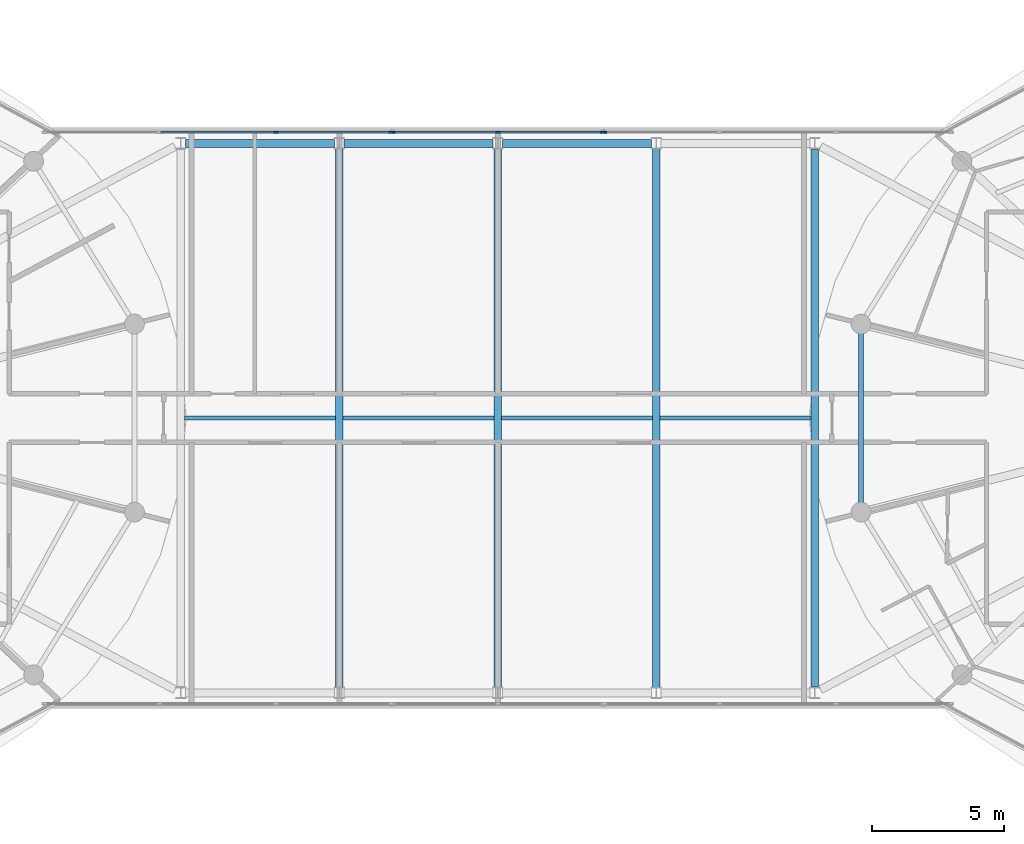
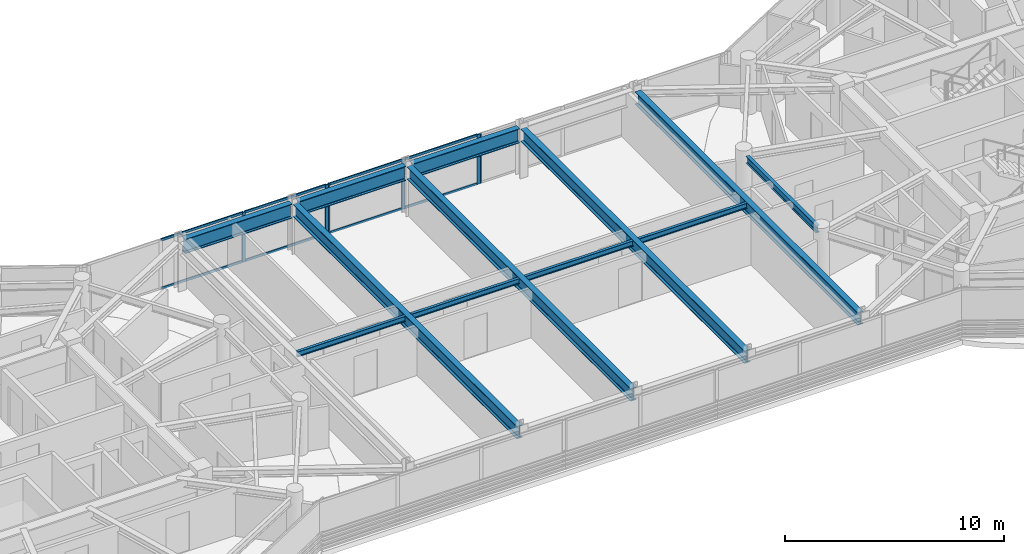
# One storey, part 7 of 24: 14 members, 12 beams, 3 elements without a shape of their own.
"""IFC4 building model written with IfcOpenShell, lengths in metres."""

from ifc_helpers import new_model, si_unit, direction, frame, origin, origin_2d, place, context, subcontext, project, spatial, rectangle, i_section, extrude, source, transform, mapped, material, layer, layer_set, material_profile, profile_set, type_object, type_shapes, element, aggregate, save


model = new_model("IFC4")

# Units and contexts
model_context = context("Model", 3, precision=1e-05, world=origin(), true_north=direction((0.0, 1.0)))
body_context = subcontext(model_context, "Body", "Model", "MODEL_VIEW")
ifc_project = project(units=[si_unit("LENGTHUNIT", "METRE"), si_unit("AREAUNIT", "SQUARE_METRE"), si_unit("VOLUMEUNIT", "CUBIC_METRE"), si_unit("PLANEANGLEUNIT", "RADIAN"), si_unit("MASSUNIT", "GRAM", prefix="KILO")], contexts=[model_context])

# Site, building, storey
site_placement = place(None, origin())
site = spatial("IfcSite", under=ifc_project, at=site_placement, CompositionType="ELEMENT")
building_placement = place(site_placement, origin())
building = spatial("IfcBuilding", under=site, at=building_placement, Name="Norrkilde Senior Care Towers", CompositionType="ELEMENT")
storey_placement = place(building_placement, frame((0.0, 0.0, 223.050048828125)))
storey = spatial("IfcBuildingStorey", under=building, at=storey_placement, Name="L69", CompositionType="ELEMENT", Elevation=223.050048828125)

# Beams
ifc_material_1 = material(Name="Steel S355", Category="steel")
ifc_material_profile_1 = material_profile(ifc_material_1, i_section(OverallWidth=0.179931640625, OverallDepth=0.39990234375, WebThickness=0.008544921875, FlangeThickness=0.013427734375, FilletRadius=0.02099609375, at=origin_2d()), Name="IPE 400")
ifc_profile_set_1 = profile_set([ifc_material_profile_1], Name="Steel S355")
beam_type_1 = type_object("IfcBeamType", Name="Perimeter Ring Spandrel Z4 IPE400", PredefinedType="SPANDREL", material=ifc_profile_set_1)
shared_shape_1 = source(origin(), body_context, "Body", "SweptSolid", [
    extrude(i_section(OverallWidth=0.179931640625, OverallDepth=0.39990234375, WebThickness=0.008544921875, FlangeThickness=0.013427734375, FilletRadius=0.02099609375, at=origin_2d()), origin(), (0.0, 0.0, 1.0), 6.44775390625),
])
type_shapes(beam_type_1, [shared_shape_1])
beam_1_placement = place(storey_placement, frame((13.752685546875, 3.223876953125, 2.56005859375), z_axis=(0.0, -1.0, 0.0), x_axis=(1.0, 0.0, 0.0)))
element("IfcBeam", 1, at=beam_1_placement, inside=storey, type_object=beam_type_1, Name="L69 Drum E Perimeter Spandrel 06", PredefinedType="SPANDREL", context=body_context, shape_type="MappedRepresentation", body=[
    mapped(shared_shape_1, transform((0.0, 0.0, 0.0), x_axis=(1.0, 0.0, 0.0), y_axis=(0.0, 1.0, 0.0), z_axis=(0.0, 0.0, 1.0), scale=1.0)),
])
ifc_material_profile_2 = material_profile(ifc_material_1, i_section(OverallWidth=0.300048828125, OverallDepth=0.699951171875, WebThickness=0.01708984375, FlangeThickness=0.031982421875, FilletRadius=0.027099609375, at=origin_2d()), Name="HEB 700")
ifc_profile_set_2 = profile_set([ifc_material_profile_2], Name="Steel S355")
beam_type_2 = type_object("IfcBeamType", Name="Bridge Cross Girder HEB700", PredefinedType="USERDEFINED", material=ifc_profile_set_2)
shared_shape_2 = source(origin(), body_context, "Body", "SweptSolid", [
    extrude(i_section(OverallWidth=0.300048828125, OverallDepth=0.699951171875, WebThickness=0.01708984375, FlangeThickness=0.031982421875, FilletRadius=0.027099609375, at=origin_2d()), origin(), (0.0, 0.0, 1.0), 20.31982421875),
])
beam_2_placement = place(storey_placement, frame((12.0, -10.159912109375, 2.409912109375), z_axis=(0.0, 1.0, 0.0), x_axis=(-1.0, 0.0, 0.0)))
element("IfcBeam", 2, at=beam_2_placement, inside=storey, type_object=beam_type_2, Name="L69 Sky-Gate Bridge Cross Girder +12", ObjectType="GIRDER", PredefinedType="USERDEFINED", context=body_context, shape_type="MappedRepresentation", body=[
    mapped(shared_shape_2, transform((0.0, 0.0, 0.0), x_axis=(1.0, 0.0, 0.0), y_axis=(0.0, 1.0, 0.0), z_axis=(0.0, 0.0, 1.0), scale=1.0)),
])
shared_shape_3 = source(origin(), body_context, "Body", "SweptSolid", [
    extrude(i_section(OverallWidth=0.300048828125, OverallDepth=0.699951171875, WebThickness=0.01708984375, FlangeThickness=0.031982421875, FilletRadius=0.027099609375, at=origin_2d()), origin(), (0.0, 0.0, 1.0), 20.43994140625),
])
type_shapes(beam_type_2, [shared_shape_2, shared_shape_3])
for number, where, z_axis, x_axis, name in (
    (3, (-6.0, -10.219970703125, 2.409912109375), (0.0, 1.0, 0.0), (-1.0, 0.0, 0.0), "L69 Sky-Gate Bridge Cross Girder -6"),
    (4, (0.0, -10.219970703125, 2.409912109375), (0.0, 1.0, 0.0), (-1.0, 0.0, 0.0), "L69 Sky-Gate Bridge Cross Girder +0"),
    (5, (6.0, -10.219970703125, 2.409912109375), (0.0, 1.0, 0.0), (-1.0, 0.0, 0.0), "L69 Sky-Gate Bridge Cross Girder +6"),
):
    element("IfcBeam", number, at=place(storey_placement, frame(where, z_axis=z_axis, x_axis=x_axis)), inside=storey, type_object=beam_type_2, Name=name, ObjectType="GIRDER", PredefinedType="USERDEFINED", context=body_context, shape_type="MappedRepresentation", body=[
        mapped(shared_shape_3, transform((0.0, 0.0, 0.0), x_axis=(1.0, 0.0, 0.0), y_axis=(0.0, 1.0, 0.0), z_axis=(0.0, 0.0, 1.0), scale=1.0)),
    ])
ifc_material_profile_3 = material_profile(ifc_material_1, i_section(OverallWidth=0.300048828125, OverallDepth=0.800048828125, WebThickness=0.017578125, FlangeThickness=0.032958984375, FilletRadius=0.030029296875, at=origin_2d()), Name="HEB 800")
ifc_profile_set_3 = profile_set([ifc_material_profile_3], Name="Steel S355")
beam_type_3 = type_object("IfcBeamType", Name="Bridge Floor Girder HEB800", PredefinedType="USERDEFINED", material=ifc_profile_set_3)
shared_shape_4 = source(origin(), body_context, "Body", "SweptSolid", [
    extrude(i_section(OverallWidth=0.300048828125, OverallDepth=0.800048828125, WebThickness=0.017578125, FlangeThickness=0.032958984375, FilletRadius=0.030029296875, at=origin_2d()), origin(), (0.0, 0.0, 1.0), 5.64013671875),
])
type_shapes(beam_type_3, [shared_shape_4])
for number, where, z_axis, x_axis, name in (
    (6, (-11.820068359375, 10.39990234375, 2.35986328125), (1.0, 0.0, 0.0), (0.0, 1.0, 0.0), "L69 Sky-Gate Bridge Girder N2"),
    (7, (-5.820068359375, 10.39990234375, 2.35986328125), (1.0, 0.0, 0.0), (0.0, 1.0, 0.0), "L69 Sky-Gate Bridge Girder N3"),
    (8, (0.179931640625, 10.39990234375, 2.35986328125), (1.0, 0.0, 0.0), (0.0, 1.0, 0.0), "L69 Sky-Gate Bridge Girder N4"),
):
    element("IfcBeam", number, at=place(storey_placement, frame(where, z_axis=z_axis, x_axis=x_axis)), inside=storey, type_object=beam_type_3, Name=name, ObjectType="GIRDER", PredefinedType="USERDEFINED", context=body_context, shape_type="MappedRepresentation", body=[
        mapped(shared_shape_4, transform((0.0, 0.0, 0.0), x_axis=(1.0, 0.0, 0.0), y_axis=(0.0, 1.0, 0.0), z_axis=(0.0, 0.0, 1.0), scale=1.0)),
    ])
ifc_material_profile_4 = material_profile(ifc_material_1, i_section(OverallWidth=0.14990234375, OverallDepth=0.300048828125, WebThickness=0.007080078125, FlangeThickness=0.0107421875, FilletRadius=0.014892578125, at=origin_2d()), Name="IPE 300")
ifc_profile_set_4 = profile_set([ifc_material_profile_4], Name="Steel S355")
beam_type_4 = type_object("IfcBeamType", Name="Bridge Deck Joist IPE300", PredefinedType="JOIST", material=ifc_profile_set_4)
shared_shape_5 = source(origin(), body_context, "Body", "SweptSolid", [
    extrude(i_section(OverallWidth=0.14990234375, OverallDepth=0.300048828125, WebThickness=0.007080078125, FlangeThickness=0.0107421875, FilletRadius=0.014892578125, at=origin_2d()), origin(), (0.0, 0.0, 1.0), 5.7099609375),
])
type_shapes(beam_type_4, [shared_shape_5])
for number, where, z_axis, x_axis, name in (
    (9, (-11.85498046875, 0.0, 2.60986328125), (1.0, 0.0, 0.0), (0.0, 1.0, 0.0), "L69 Bridge Deck Joist 1"),
    (10, (-5.85498046875, 0.0, 2.60986328125), (1.0, 0.0, 0.0), (0.0, 1.0, 0.0), "L69 Bridge Deck Joist 2"),
    (11, (0.14501953125, 0.0, 2.60986328125), (1.0, 0.0, 0.0), (0.0, 1.0, 0.0), "L69 Bridge Deck Joist 3"),
    (12, (6.14501953125, 0.0, 2.60986328125), (1.0, 0.0, 0.0), (0.0, 1.0, 0.0), "L69 Bridge Deck Joist 4"),
):
    element("IfcBeam", number, at=place(storey_placement, frame(where, z_axis=z_axis, x_axis=x_axis)), inside=storey, type_object=beam_type_4, Name=name, PredefinedType="JOIST", context=body_context, shape_type="MappedRepresentation", body=[
        mapped(shared_shape_5, transform((0.0, 0.0, 0.0), x_axis=(1.0, 0.0, 0.0), y_axis=(0.0, 1.0, 0.0), z_axis=(0.0, 0.0, 1.0), scale=1.0)),
    ])

# Curtain wall, members
ifc_material_2 = material(Name="Triple Low-E Insulated Glazing", Category="glass")
ifc_layer = layer(ifc_material_2, 0.2099609375)
ifc_layer_set = layer_set([ifc_layer], Name="Triple Low-E Insulated Glazing")
curtain_wall_type = type_object("IfcCurtainWallType", Name="CW5 Sky-Gate Bridge Curtain Wall", PredefinedType="NOTDEFINED", material=ifc_layer_set)
curtain_wall_1_placement = place(storey_placement, origin())
curtain_wall_1 = element("IfcCurtainWall", 13, at=curtain_wall_1_placement, inside=storey, type_object=curtain_wall_type, Name="L69 Sky-Gate Bridge North Curtain Wall 1", PredefinedType="NOTDEFINED")
ifc_material_3 = material(Name="Anodised Aluminium", Category="aluminium")
ifc_material_profile_5 = material_profile(ifc_material_3, rectangle(XDim=0.06494140625, YDim=0.1298828125, at=origin_2d()), Name="ALU TRAN 65x130")
ifc_profile_set_5 = profile_set([ifc_material_profile_5], Name="Anodised Aluminium")
member_type_1 = type_object("IfcMemberType", Name="Curtain Wall Transom Heavy 65x130", PredefinedType="USERDEFINED", material=ifc_profile_set_5)
shared_shape_6 = source(origin(), body_context, "Body", "SweptSolid", [
    extrude(rectangle(XDim=0.06494140625, YDim=0.1298828125, at=origin_2d()), origin(), (0.0, 0.0, 1.0), 4.294921875),
])
member_1_placement = place(storey_placement, frame((-8.364990234375, 10.820068359375, 0.032470703125), z_axis=(1.0, 0.0, 0.0), x_axis=(0.0, 1.0, 0.0)))
member_1 = element("IfcMember", 14, at=member_1_placement, type_object=member_type_1, Name="CW-5 transom 3.1", ObjectType="TRANSOM", PredefinedType="USERDEFINED", context=body_context, shape_type="MappedRepresentation", body=[
    mapped(shared_shape_6, transform((0.0, 0.0, 0.0), x_axis=(1.0, 0.0, 0.0), y_axis=(0.0, 1.0, 0.0), z_axis=(0.0, 0.0, 1.0), scale=1.0)),
])
member_2_placement = place(storey_placement, frame((-8.364990234375, 10.820068359375, 2.7275390625), z_axis=(1.0, 0.0, 0.0), x_axis=(0.0, 1.0, 0.0)))
member_2 = element("IfcMember", 15, at=member_2_placement, type_object=member_type_1, Name="CW-5 transom 3.2", ObjectType="TRANSOM", PredefinedType="USERDEFINED", context=body_context, shape_type="MappedRepresentation", body=[
    mapped(shared_shape_6, transform((0.0, 0.0, 0.0), x_axis=(1.0, 0.0, 0.0), y_axis=(0.0, 1.0, 0.0), z_axis=(0.0, 0.0, 1.0), scale=1.0)),
])
shared_shape_7 = source(origin(), body_context, "Body", "SweptSolid", [
    extrude(rectangle(XDim=0.06494140625, YDim=0.1298828125, at=origin_2d()), origin(), (0.0, 0.0, 1.0), 4.329833984375),
])
member_3_placement = place(storey_placement, frame((-12.764892578125, 10.820068359375, 0.032470703125), z_axis=(1.0, 0.0, 0.0), x_axis=(0.0, 1.0, 0.0)))
member_3 = element("IfcMember", 16, at=member_3_placement, type_object=member_type_1, Name="CW-5 transom 2.1", ObjectType="TRANSOM", PredefinedType="USERDEFINED", context=body_context, shape_type="MappedRepresentation", body=[
    mapped(shared_shape_7, transform((0.0, 0.0, 0.0), x_axis=(1.0, 0.0, 0.0), y_axis=(0.0, 1.0, 0.0), z_axis=(0.0, 0.0, 1.0), scale=1.0)),
])
member_4_placement = place(storey_placement, frame((-12.764892578125, 10.820068359375, 2.7275390625), z_axis=(1.0, 0.0, 0.0), x_axis=(0.0, 1.0, 0.0)))
member_4 = element("IfcMember", 17, at=member_4_placement, type_object=member_type_1, Name="CW-5 transom 2.2", ObjectType="TRANSOM", PredefinedType="USERDEFINED", context=body_context, shape_type="MappedRepresentation", body=[
    mapped(shared_shape_7, transform((0.0, 0.0, 0.0), x_axis=(1.0, 0.0, 0.0), y_axis=(0.0, 1.0, 0.0), z_axis=(0.0, 0.0, 1.0), scale=1.0)),
])

curtain_wall_2_placement = place(storey_placement, origin())
curtain_wall_2 = element("IfcCurtainWall", 18, at=curtain_wall_2_placement, inside=storey, type_object=curtain_wall_type, Name="L69 Sky-Gate Bridge North Curtain Wall 2", PredefinedType="NOTDEFINED")
shared_shape_8 = source(origin(), body_context, "Body", "SweptSolid", [
    extrude(rectangle(XDim=0.06494140625, YDim=0.1298828125, at=origin_2d()), origin(), (0.0, 0.0, 1.0), 3.89501953125),
])
type_shapes(member_type_1, [shared_shape_6, shared_shape_7, shared_shape_8])
member_5_placement = place(storey_placement, frame((-3.929931640625, 10.820068359375, 0.032470703125), z_axis=(1.0, 0.0, 0.0), x_axis=(0.0, 1.0, 0.0)))
member_5 = element("IfcMember", 19, at=member_5_placement, type_object=member_type_1, Name="CW-5 transom 1.1", ObjectType="TRANSOM", PredefinedType="USERDEFINED", context=body_context, shape_type="MappedRepresentation", body=[
    mapped(shared_shape_8, transform((0.0, 0.0, 0.0), x_axis=(1.0, 0.0, 0.0), y_axis=(0.0, 1.0, 0.0), z_axis=(0.0, 0.0, 1.0), scale=1.0)),
])
member_6_placement = place(storey_placement, frame((-3.929931640625, 10.820068359375, 2.7275390625), z_axis=(1.0, 0.0, 0.0), x_axis=(0.0, 1.0, 0.0)))
member_6 = element("IfcMember", 20, at=member_6_placement, type_object=member_type_1, Name="CW-5 transom 1.2", ObjectType="TRANSOM", PredefinedType="USERDEFINED", context=body_context, shape_type="MappedRepresentation", body=[
    mapped(shared_shape_8, transform((0.0, 0.0, 0.0), x_axis=(1.0, 0.0, 0.0), y_axis=(0.0, 1.0, 0.0), z_axis=(0.0, 0.0, 1.0), scale=1.0)),
])
member_7_placement = place(storey_placement, frame((0.034912109375, 10.820068359375, 0.032470703125), z_axis=(1.0, 0.0, 0.0), x_axis=(0.0, 1.0, 0.0)))
member_7 = element("IfcMember", 21, at=member_7_placement, type_object=member_type_1, Name="CW-5 transom 2.1", ObjectType="TRANSOM", PredefinedType="USERDEFINED", context=body_context, shape_type="MappedRepresentation", body=[
    mapped(shared_shape_8, transform((0.0, 0.0, 0.0), x_axis=(1.0, 0.0, 0.0), y_axis=(0.0, 1.0, 0.0), z_axis=(0.0, 0.0, 1.0), scale=1.0)),
])
member_8_placement = place(storey_placement, frame((0.034912109375, 10.820068359375, 2.7275390625), z_axis=(1.0, 0.0, 0.0), x_axis=(0.0, 1.0, 0.0)))
member_8 = element("IfcMember", 22, at=member_8_placement, type_object=member_type_1, Name="CW-5 transom 2.2", ObjectType="TRANSOM", PredefinedType="USERDEFINED", context=body_context, shape_type="MappedRepresentation", body=[
    mapped(shared_shape_8, transform((0.0, 0.0, 0.0), x_axis=(1.0, 0.0, 0.0), y_axis=(0.0, 1.0, 0.0), z_axis=(0.0, 0.0, 1.0), scale=1.0)),
])

# Member
ifc_material_profile_6 = material_profile(ifc_material_3, rectangle(XDim=0.070068359375, YDim=0.169921875, at=origin_2d()), Name="ALU MULL 70x170")
ifc_profile_set_6 = profile_set([ifc_material_profile_6], Name="Anodised Aluminium")
member_type_2 = type_object("IfcMemberType", Name="Curtain Wall Mullion Heavy 70x170", PredefinedType="MULLION", material=ifc_profile_set_6)
shared_shape_9 = source(origin(), body_context, "Body", "SweptSolid", [
    extrude(rectangle(XDim=0.070068359375, YDim=0.169921875, at=origin_2d()), origin(), (0.0, 0.0, 1.0), 2.760009765625),
])
type_shapes(member_type_2, [shared_shape_9])
member_9_placement = place(storey_placement, frame((-8.39990234375, 10.820068359375, 0.0), z_axis=(0.0, 0.0, 1.0), x_axis=(0.0, 1.0, 0.0)))
member_9 = element("IfcMember", 23, at=member_9_placement, type_object=member_type_2, Name="CW-5 mullion 3", PredefinedType="MULLION", context=body_context, shape_type="MappedRepresentation", body=[
    mapped(shared_shape_9, transform((0.0, 0.0, 0.0), x_axis=(1.0, 0.0, 0.0), y_axis=(0.0, 1.0, 0.0), z_axis=(0.0, 0.0, 1.0), scale=1.0)),
])

member_10_placement = place(storey_placement, frame((-4.034912109375, 10.820068359375, 0.0), z_axis=(0.0, 0.0, 1.0), x_axis=(0.0, 1.0, 0.0)))
member_10 = element("IfcMember", 24, at=member_10_placement, type_object=member_type_2, Name="CW-5 mullion 4", PredefinedType="MULLION", context=body_context, shape_type="MappedRepresentation", body=[
    mapped(shared_shape_9, transform((0.0, 0.0, 0.0), x_axis=(1.0, 0.0, 0.0), y_axis=(0.0, 1.0, 0.0), z_axis=(0.0, 0.0, 1.0), scale=1.0)),
])

aggregate(curtain_wall_1, [member_9, member_10, member_3, member_4, member_1, member_2])

member_11_placement = place(storey_placement, frame((-3.965087890625, 10.820068359375, 0.0), z_axis=(0.0, 0.0, 1.0), x_axis=(0.0, 1.0, 0.0)))
member_11 = element("IfcMember", 25, at=member_11_placement, type_object=member_type_2, Name="CW-5 mullion 1", PredefinedType="MULLION", context=body_context, shape_type="MappedRepresentation", body=[
    mapped(shared_shape_9, transform((0.0, 0.0, 0.0), x_axis=(1.0, 0.0, 0.0), y_axis=(0.0, 1.0, 0.0), z_axis=(0.0, 0.0, 1.0), scale=1.0)),
])

member_12_placement = place(storey_placement, frame((0.0, 10.820068359375, 0.0), z_axis=(0.0, 0.0, 1.0), x_axis=(0.0, 1.0, 0.0)))
member_12 = element("IfcMember", 26, at=member_12_placement, type_object=member_type_2, Name="CW-5 mullion 2", PredefinedType="MULLION", context=body_context, shape_type="MappedRepresentation", body=[
    mapped(shared_shape_9, transform((0.0, 0.0, 0.0), x_axis=(1.0, 0.0, 0.0), y_axis=(0.0, 1.0, 0.0), z_axis=(0.0, 0.0, 1.0), scale=1.0)),
])

member_13_placement = place(storey_placement, frame((3.965087890625, 10.820068359375, 0.0), z_axis=(0.0, 0.0, 1.0), x_axis=(0.0, 1.0, 0.0)))
member_13 = element("IfcMember", 27, at=member_13_placement, type_object=member_type_2, Name="CW-5 mullion 3", PredefinedType="MULLION", context=body_context, shape_type="MappedRepresentation", body=[
    mapped(shared_shape_9, transform((0.0, 0.0, 0.0), x_axis=(1.0, 0.0, 0.0), y_axis=(0.0, 1.0, 0.0), z_axis=(0.0, 0.0, 1.0), scale=1.0)),
])

aggregate(curtain_wall_2, [member_11, member_12, member_13, member_5, member_6, member_7, member_8])

# Curtain wall, member
curtain_wall_3_placement = place(storey_placement, origin())
curtain_wall_3 = element("IfcCurtainWall", 28, at=curtain_wall_3_placement, inside=storey, type_object=curtain_wall_type, Name="L69 Sky-Gate Bridge North Curtain Wall 3", PredefinedType="NOTDEFINED")
member_14_placement = place(storey_placement, frame((4.034912109375, 10.820068359375, 0.0), z_axis=(0.0, 0.0, 1.0), x_axis=(0.0, 1.0, 0.0)))
member_14 = element("IfcMember", 29, at=member_14_placement, type_object=member_type_2, Name="CW-5 mullion 1", PredefinedType="MULLION", context=body_context, shape_type="MappedRepresentation", body=[
    mapped(shared_shape_9, transform((0.0, 0.0, 0.0), x_axis=(1.0, 0.0, 0.0), y_axis=(0.0, 1.0, 0.0), z_axis=(0.0, 0.0, 1.0), scale=1.0)),
])
aggregate(curtain_wall_3, [member_14])

save(model, "model.ifc")
